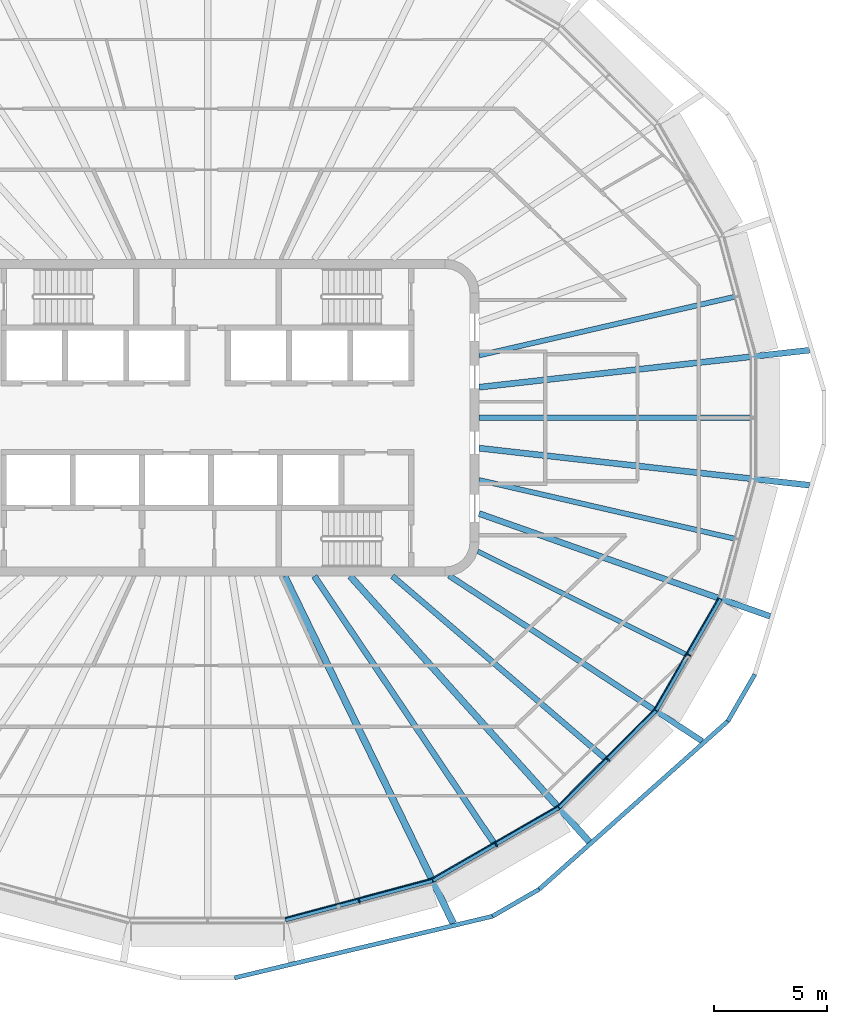
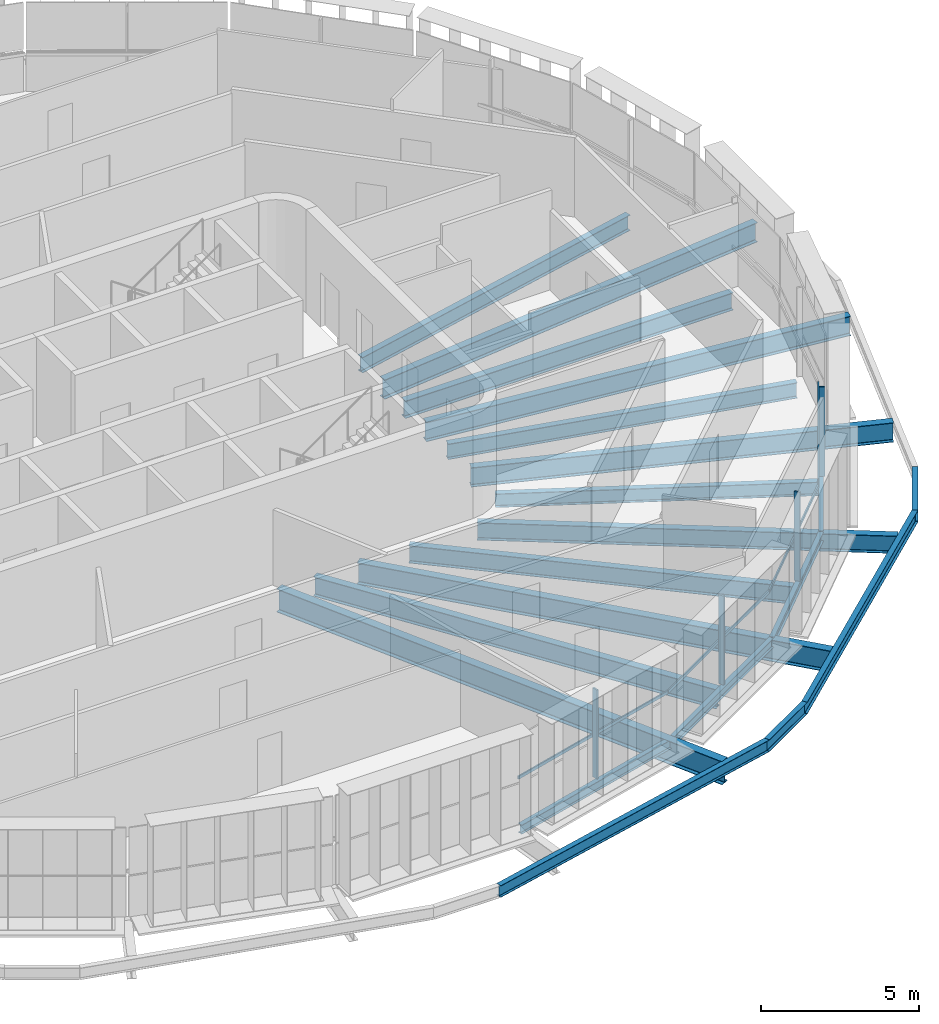
# One storey, part 3 of 18: 20 beams, 8 members, 4 elements without a shape of their own.
"""IFC4 building model written with IfcOpenShell, lengths in metres."""

from ifc_helpers import new_model, si_unit, direction, frame, origin, origin_2d, place, context, subcontext, project, spatial, rectangle, i_section, extrude, material, layer, layer_set, material_profile, profile_set, type_object, element, aggregate, save


model = new_model("IFC4")

# Units and contexts
model_context = context("Model", 3, precision=1e-05, world=origin(), true_north=direction((0.0, 1.0)))
body_context = subcontext(model_context, "Body", "Model", "MODEL_VIEW")
ifc_project = project(units=[si_unit("LENGTHUNIT", "METRE"), si_unit("AREAUNIT", "SQUARE_METRE"), si_unit("VOLUMEUNIT", "CUBIC_METRE"), si_unit("PLANEANGLEUNIT", "RADIAN"), si_unit("MASSUNIT", "GRAM", prefix="KILO")], contexts=[model_context])

# Site, building, storey
site_placement = place(None, origin())
site = spatial("IfcSite", under=ifc_project, at=site_placement, CompositionType="ELEMENT")
building_placement = place(site_placement, origin())
building = spatial("IfcBuilding", under=site, at=building_placement, Name="Sahrelin Media Tower", CompositionType="ELEMENT")
storey_placement = place(building_placement, frame((0.0, 0.0, 320.39990234375)))
storey = spatial("IfcBuildingStorey", under=building, at=storey_placement, Name="L71", CompositionType="ELEMENT", Elevation=320.39990234375)

# Beams
ifc_material_1 = material(Name="Steel S355", Category="steel")
ifc_material_profile_1 = material_profile(ifc_material_1, i_section(OverallWidth=0.1650390625, OverallDepth=0.303466796875, WebThickness=0.006103515625, FlangeThickness=0.01025390625, FilletRadius=0.0087890625, at=origin_2d()), Name="UB 305x165x40")
ifc_profile_set_1 = profile_set([ifc_material_profile_1], Name="Steel S355")
beam_type_1 = type_object("IfcBeamType", Name="Edge beam EB2", PredefinedType="BEAM", material=ifc_profile_set_1)
beam_1_placement = place(storey_placement, frame((22.66650390625, -8.00830078125, -0.301513671875), z_axis=(-0.50000363893, -0.866023302837, 0.0), x_axis=(0.866023302837, -0.50000363893, 0.0)))
element("IfcBeam", 1, at=beam_1_placement, inside=storey, type_object=beam_type_1, Name="Edge beam L71-03", PredefinedType="BEAM", context=body_context, shape_type="SweptSolid", body=[
    extrude(i_section(OverallWidth=0.1650390625, OverallDepth=0.303466796875, WebThickness=0.006103515625, FlangeThickness=0.01025390625, FilletRadius=0.0087890625, at=origin_2d()), origin(), (0.0, 0.0, 1.0), 5.68701171875),
])
ifc_material_profile_2 = material_profile(ifc_material_1, i_section(OverallWidth=0.17138671875, OverallDepth=0.35498046875, WebThickness=0.00732421875, FlangeThickness=0.011474609375, FilletRadius=0.01025390625, at=origin_2d()), Name="UB 356x171x51")
ifc_profile_set_2 = profile_set([ifc_material_profile_2], Name="Steel S355")
beam_type_2 = type_object("IfcBeamType", Name="Edge beam EB3", PredefinedType="BEAM", material=ifc_profile_set_2)
beam_2_placement = place(storey_placement, frame((19.805419921875, -12.956298828125, -0.327392578125), z_axis=(-0.707106781187, -0.707106781187, 0.0), x_axis=(0.707106781187, -0.707106781187, 0.0)))
element("IfcBeam", 2, at=beam_2_placement, inside=storey, type_object=beam_type_2, Name="Edge beam L71-04", PredefinedType="BEAM", context=body_context, shape_type="SweptSolid", body=[
    extrude(i_section(OverallWidth=0.17138671875, OverallDepth=0.35498046875, WebThickness=0.00732421875, FlangeThickness=0.011474609375, FilletRadius=0.01025390625, at=origin_2d()), origin(), (0.0, 0.0, 1.0), 6.033447265625),
])
beam_3_placement = place(storey_placement, frame((15.51611328125, -17.240234375, -0.327392578125), z_axis=(-0.866016350121, -0.500015681077, 0.0), x_axis=(0.500015681077, -0.866016350121, 0.0)))
element("IfcBeam", 3, at=beam_3_placement, inside=storey, type_object=beam_type_2, Name="Edge beam L71-05", PredefinedType="BEAM", context=body_context, shape_type="SweptSolid", body=[
    extrude(i_section(OverallWidth=0.17138671875, OverallDepth=0.35498046875, WebThickness=0.00732421875, FlangeThickness=0.011474609375, FilletRadius=0.01025390625, at=origin_2d()), origin(), (0.0, 0.0, 1.0), 6.414306640625),
])
beam_4_placement = place(storey_placement, frame((9.9345703125, -20.45849609375, -0.327392578125), z_axis=(-0.965930856343, -0.258800271955, 0.0), x_axis=(0.258800271955, -0.965930856343, 0.0)))
element("IfcBeam", 4, at=beam_4_placement, inside=storey, type_object=beam_type_2, Name="Edge beam L71-06", PredefinedType="BEAM", context=body_context, shape_type="SweptSolid", body=[
    extrude(i_section(OverallWidth=0.17138671875, OverallDepth=0.35498046875, WebThickness=0.00732421875, FlangeThickness=0.011474609375, FilletRadius=0.01025390625, at=origin_2d()), origin(), (0.0, 0.0, 1.0), 6.717529296875),
])

# Curtain wall, member
ifc_material_2 = material(Name="Champagne anodised aluminium 6063-T6", Category="aluminium")
ifc_layer = layer(ifc_material_2, 0.14990234375)
ifc_layer_set = layer_set([ifc_layer], Name="Tower ribbon curtain wall")
curtain_wall_type = type_object("IfcCurtainWallType", Name="Tower ribbon curtain wall", PredefinedType="NOTDEFINED", material=ifc_layer_set)
curtain_wall_1_placement = place(storey_placement, frame((6.72900390625, -21.47265625, 0.0), z_axis=(0.0, 0.0, 1.0), x_axis=(1.0, 0.0, 0.0)))
curtain_wall_1 = element("IfcCurtainWall", 5, at=curtain_wall_1_placement, inside=storey, type_object=curtain_wall_type, Name="L71:CW:L71-19", PredefinedType="NOTDEFINED")
ifc_material_profile_3 = material_profile(ifc_material_2, rectangle(XDim=0.06005859375, YDim=0.199951171875, at=origin_2d()), Name="Mullion 60x200")
ifc_profile_set_3 = profile_set([ifc_material_profile_3], Name="Champagne anodised aluminium 6063-T6")
member_type_1 = type_object("IfcMemberType", Name="Mullion 60x200 CW1C", PredefinedType="MULLION", material=ifc_profile_set_3)
member_1_placement = place(storey_placement, frame((6.69775390625, -21.356689453125, 0.0), z_axis=(0.0, 0.0, 1.0), x_axis=(0.965926278012, 0.258817359244, 0.0)))
member_1 = element("IfcMember", 6, at=member_1_placement, type_object=member_type_1, Name="L71:CWM:L71-19", PredefinedType="MULLION", context=body_context, shape_type="SweptSolid", body=[
    extrude(rectangle(XDim=0.06005859375, YDim=0.199951171875, at=origin_2d()), origin(), (0.0, 0.0, 1.0), 3.44873046875),
])

curtain_wall_2_placement = place(storey_placement, frame((12.813720703125, -18.9736328125, 0.0), z_axis=(0.0, 0.0, 1.0), x_axis=(1.0, 0.0, 0.0)))
curtain_wall_2 = element("IfcCurtainWall", 7, at=curtain_wall_2_placement, inside=storey, type_object=curtain_wall_type, Name="L71:CW:L71-20", PredefinedType="NOTDEFINED")
member_2_placement = place(storey_placement, frame((12.753662109375, -18.869873046875, 0.0), z_axis=(0.0, 0.0, 1.0), x_axis=(0.86602365845, 0.500003022996, 0.0)))
member_2 = element("IfcMember", 8, at=member_2_placement, type_object=member_type_1, Name="L71:CWM:L71-20", PredefinedType="MULLION", context=body_context, shape_type="SweptSolid", body=[
    extrude(rectangle(XDim=0.06005859375, YDim=0.199951171875, at=origin_2d()), origin(), (0.0, 0.0, 1.0), 3.44873046875),
])

curtain_wall_3_placement = place(storey_placement, frame((17.7783203125, -15.195556640625, 0.0), z_axis=(0.0, 0.0, 1.0), x_axis=(1.0, 0.0, 0.0)))
curtain_wall_3 = element("IfcCurtainWall", 9, at=curtain_wall_3_placement, inside=storey, type_object=curtain_wall_type, Name="L71:CW:L71-21", PredefinedType="NOTDEFINED")
member_3_placement = place(storey_placement, frame((17.693359375, -15.110595703125, 0.0), z_axis=(0.0, 0.0, 1.0), x_axis=(0.707106781187, 0.707106781187, 0.0)))
member_3 = element("IfcMember", 10, at=member_3_placement, type_object=member_type_1, Name="L71:CWM:L71-21", PredefinedType="MULLION", context=body_context, shape_type="SweptSolid", body=[
    extrude(rectangle(XDim=0.06005859375, YDim=0.199951171875, at=origin_2d()), origin(), (0.0, 0.0, 1.0), 3.44873046875),
])

curtain_wall_4_placement = place(storey_placement, frame((21.374755859375, -10.5458984375, 0.0), z_axis=(0.0, 0.0, 1.0), x_axis=(1.0, 0.0, 0.0)))
curtain_wall_4 = element("IfcCurtainWall", 11, at=curtain_wall_4_placement, inside=storey, type_object=curtain_wall_type, Name="L71:CW:L71-22", PredefinedType="NOTDEFINED")
member_4_placement = place(storey_placement, frame((21.270751953125, -10.48583984375, 0.0), z_axis=(0.0, 0.0, 1.0), x_axis=(0.500004534492, 0.866022785779, 0.0)))
member_4 = element("IfcMember", 12, at=member_4_placement, type_object=member_type_1, Name="L71:CWM:L71-22", PredefinedType="MULLION", context=body_context, shape_type="SweptSolid", body=[
    extrude(rectangle(XDim=0.06005859375, YDim=0.199951171875, at=origin_2d()), origin(), (0.0, 0.0, 1.0), 3.44873046875),
])

# Beams
ifc_material_profile_4 = material_profile(ifc_material_1, i_section(OverallWidth=0.291748046875, OverallDepth=0.8349609375, WebThickness=0.013916015625, FlangeThickness=0.018798828125, FilletRadius=0.017822265625, at=origin_2d()), Name="UB 838x292x176")
ifc_profile_set_4 = profile_set([ifc_material_profile_4], Name="Steel S355")
beam_type_3 = type_object("IfcBeamType", Name="Radial primary beam PB10", PredefinedType="BEAM", material=ifc_profile_set_4)
beam_5_placement = place(storey_placement, frame((6.30126953125, -7.0, -0.5673828125), z_axis=(0.669035624577, -0.743230336468, 0.0), x_axis=(0.743230336468, 0.669035624577, 0.0)))
element("IfcBeam", 13, at=beam_5_placement, inside=storey, type_object=beam_type_3, Name="Radial beam L71-21", PredefinedType="BEAM", context=body_context, shape_type="SweptSolid", body=[
    extrude(i_section(OverallWidth=0.291748046875, OverallDepth=0.8349609375, WebThickness=0.013916015625, FlangeThickness=0.018798828125, FilletRadius=0.017822265625, at=origin_2d()), origin(), (0.0, 0.0, 1.0), 15.791259765625),
])
ifc_material_profile_5 = material_profile(ifc_material_1, i_section(OverallWidth=0.30322265625, OverallDepth=0.903076171875, WebThickness=0.01513671875, FlangeThickness=0.020263671875, FilletRadius=0.01904296875, at=origin_2d()), Name="UB 914x305x201")
ifc_profile_set_5 = profile_set([ifc_material_profile_5], Name="Steel S355")
beam_type_4 = type_object("IfcBeamType", Name="Radial primary beam PB11", PredefinedType="BEAM", material=ifc_profile_set_5)
beam_6_placement = place(storey_placement, frame((3.401123046875, -7.0, -0.601318359375), z_axis=(0.437024704588, -0.899449502518, 0.0), x_axis=(0.899449502518, 0.437024704588, 0.0)))
element("IfcBeam", 14, at=beam_6_placement, inside=storey, type_object=beam_type_4, Name="Radial beam L71-20", PredefinedType="BEAM", context=body_context, shape_type="SweptSolid", body=[
    extrude(i_section(OverallWidth=0.30322265625, OverallDepth=0.903076171875, WebThickness=0.01513671875, FlangeThickness=0.020263671875, FilletRadius=0.01904296875, at=origin_2d()), origin(), (0.0, 0.0, 1.0), 17.06103515625),
])
ifc_material_profile_6 = material_profile(ifc_material_1, i_section(OverallWidth=0.2529296875, OverallDepth=0.677978515625, WebThickness=0.01171875, FlangeThickness=0.01611328125, FilletRadius=0.01513671875, at=origin_2d()), Name="UB 686x254x125")
ifc_profile_set_6 = profile_set([ifc_material_profile_6], Name="Steel S355")
beam_type_5 = type_object("IfcBeamType", Name="Radial primary beam PB8", PredefinedType="BEAM", material=ifc_profile_set_6)
beam_7_placement = place(storey_placement, frame((10.669189453125, -6.977783203125, -0.489013671875), z_axis=(0.836908141408, -0.547343368321, 0.0), x_axis=(0.547343368321, 0.836908141408, 0.0)))
element("IfcBeam", 15, at=beam_7_placement, inside=storey, type_object=beam_type_5, Name="Radial beam L71-22", PredefinedType="BEAM", context=body_context, shape_type="SweptSolid", body=[
    extrude(i_section(OverallWidth=0.2529296875, OverallDepth=0.677978515625, WebThickness=0.01171875, FlangeThickness=0.01611328125, FilletRadius=0.01513671875, at=origin_2d()), origin(), (0.0, 0.0, 1.0), 13.364501953125),
])
ifc_material_profile_7 = material_profile(ifc_material_1, i_section(OverallWidth=0.26513671875, OverallDepth=0.75390625, WebThickness=0.0126953125, FlangeThickness=0.017578125, FilletRadius=0.0166015625, at=origin_2d()), Name="UB 762x267x147")
ifc_profile_set_7 = profile_set([ifc_material_profile_7], Name="Steel S355")
beam_type_6 = type_object("IfcBeamType", Name="Radial primary beam PB9", PredefinedType="BEAM", material=ifc_profile_set_7)
beam_8_placement = place(storey_placement, frame((12.0, 1.34619140625, -0.52685546875), z_axis=(0.993764786308, 0.111496858677, 0.0), x_axis=(-0.111496858677, 0.993764786308, 0.0)))
element("IfcBeam", 16, at=beam_8_placement, inside=storey, type_object=beam_type_6, Name="Radial beam L71-01", PredefinedType="BEAM", context=body_context, shape_type="SweptSolid", body=[
    extrude(i_section(OverallWidth=0.26513671875, OverallDepth=0.75390625, WebThickness=0.0126953125, FlangeThickness=0.017578125, FilletRadius=0.0166015625, at=origin_2d()), origin(), (0.0, 0.0, 1.0), 14.688232421875),
])
beam_9_placement = place(storey_placement, frame((12.0, -4.236083984375, -0.52685546875), z_axis=(0.942964873881, -0.332892244769, 0.0), x_axis=(0.332892244769, 0.942964873881, 0.0)))
element("IfcBeam", 17, at=beam_9_placement, inside=storey, type_object=beam_type_6, Name="Radial beam L71-23", PredefinedType="BEAM", context=body_context, shape_type="SweptSolid", body=[
    extrude(i_section(OverallWidth=0.26513671875, OverallDepth=0.75390625, WebThickness=0.0126953125, FlangeThickness=0.017578125, FilletRadius=0.0166015625, at=origin_2d()), origin(), (0.0, 0.0, 1.0), 13.633056640625),
])
beam_10_placement = place(storey_placement, frame((12.0, -1.34619140625, -0.52685546875), z_axis=(0.993764786308, -0.111496858677, 0.0), x_axis=(0.111496858677, 0.993764786308, 0.0)))
element("IfcBeam", 18, at=beam_10_placement, inside=storey, type_object=beam_type_6, Name="Radial beam L71-24", PredefinedType="BEAM", context=body_context, shape_type="SweptSolid", body=[
    extrude(i_section(OverallWidth=0.26513671875, OverallDepth=0.75390625, WebThickness=0.0126953125, FlangeThickness=0.017578125, FilletRadius=0.0166015625, at=origin_2d()), origin(), (0.0, 0.0, 1.0), 14.688232421875),
])
ifc_material_profile_8 = material_profile(ifc_material_1, i_section(OverallWidth=0.208740234375, OverallDepth=0.5283203125, WebThickness=0.009521484375, FlangeThickness=0.01318359375, FilletRadius=0.0126953125, at=origin_2d()), Name="UB 533x210x82")
ifc_profile_set_8 = profile_set([ifc_material_profile_8], Name="Steel S355")
beam_type_7 = type_object("IfcBeamType", Name="Radial secondary beam SB6", PredefinedType="BEAM", material=ifc_profile_set_8)
beam_11_placement = place(storey_placement, frame((11.941650390625, -5.90576171875, -0.4140625), z_axis=(0.896375943047, -0.443294674824, 0.0), x_axis=(0.443294674824, 0.896375943047, 0.0)))
element("IfcBeam", 19, at=beam_11_placement, inside=storey, type_object=beam_type_7, Name="Secondary beam L71-22", PredefinedType="BEAM", context=body_context, shape_type="SweptSolid", body=[
    extrude(i_section(OverallWidth=0.208740234375, OverallDepth=0.5283203125, WebThickness=0.009521484375, FlangeThickness=0.01318359375, FilletRadius=0.0126953125, at=origin_2d()), origin(), (0.0, 0.0, 1.0), 10.27783203125),
])
ifc_material_profile_9 = material_profile(ifc_material_1, i_section(OverallWidth=0.2275390625, OverallDepth=0.6025390625, WebThickness=0.010498046875, FlangeThickness=0.014892578125, FilletRadius=0.0126953125, at=origin_2d()), Name="UB 610x229x101")
ifc_profile_set_9 = profile_set([ifc_material_profile_9], Name="Steel S355")
beam_type_8 = type_object("IfcBeamType", Name="Radial secondary beam SB7", PredefinedType="BEAM", material=ifc_profile_set_9)
for number, where, z_axis, x_axis, name in (
    (20, (12.0, 2.75341796875, -0.451171875), (0.974674391125, 0.223628780089, 0.0), (-0.223628780089, 0.974674391125, 0.0), "Secondary beam L71-01"),
    (21, (12.0, -2.75341796875, -0.451171875), (0.974674391125, -0.223628780089, 0.0), (0.223628780089, 0.974674391125, 0.0), "Secondary beam L71-23"),
):
    element("IfcBeam", number, at=place(storey_placement, frame(where, z_axis=z_axis, x_axis=x_axis)), inside=storey, type_object=beam_type_8, Name=name, PredefinedType="BEAM", context=body_context, shape_type="SweptSolid", body=[
        extrude(i_section(OverallWidth=0.2275390625, OverallDepth=0.6025390625, WebThickness=0.010498046875, FlangeThickness=0.014892578125, FilletRadius=0.0126953125, at=origin_2d()), origin(), (0.0, 0.0, 1.0), 11.591796875),
    ])
ifc_material_profile_10 = material_profile(ifc_material_1, i_section(OverallWidth=0.2529296875, OverallDepth=0.677978515625, WebThickness=0.01171875, FlangeThickness=0.01611328125, FilletRadius=0.01513671875, at=origin_2d()), Name="UB 686x254x125")
ifc_profile_set_10 = profile_set([ifc_material_profile_10], Name="Steel S355")
beam_type_9 = type_object("IfcBeamType", Name="Radial secondary beam SB8", PredefinedType="BEAM", material=ifc_profile_set_10)
beam_12_placement = place(storey_placement, frame((8.168212890625, -7.0, -0.489013671875), z_axis=(0.75931918364, -0.650718354863, 0.0), x_axis=(0.650718354863, 0.75931918364, 0.0)))
element("IfcBeam", 22, at=beam_12_placement, inside=storey, type_object=beam_type_9, Name="Secondary beam L71-21", PredefinedType="BEAM", context=body_context, shape_type="SweptSolid", body=[
    extrude(i_section(OverallWidth=0.2529296875, OverallDepth=0.677978515625, WebThickness=0.01171875, FlangeThickness=0.01611328125, FilletRadius=0.01513671875, at=origin_2d()), origin(), (0.0, 0.0, 1.0), 12.391357421875),
])
beam_13_placement = place(storey_placement, frame((12.0, 0.0, -0.489013671875), z_axis=(1.0, 0.0, 0.0), x_axis=(0.0, 1.0, 0.0)))
element("IfcBeam", 23, at=beam_13_placement, inside=storey, type_object=beam_type_9, Name="Secondary beam L71-24", PredefinedType="BEAM", context=body_context, shape_type="SweptSolid", body=[
    extrude(i_section(OverallWidth=0.2529296875, OverallDepth=0.677978515625, WebThickness=0.01171875, FlangeThickness=0.01611328125, FilletRadius=0.01513671875, at=origin_2d()), origin(), (0.0, 0.0, 1.0), 12.01025390625),
])
ifc_material_profile_11 = material_profile(ifc_material_1, i_section(OverallWidth=0.26513671875, OverallDepth=0.75390625, WebThickness=0.0126953125, FlangeThickness=0.017578125, FilletRadius=0.0166015625, at=origin_2d()), Name="UB 762x267x147")
ifc_profile_set_11 = profile_set([ifc_material_profile_11], Name="Steel S355")
beam_type_10 = type_object("IfcBeamType", Name="Radial secondary beam SB9", PredefinedType="BEAM", material=ifc_profile_set_11)
beam_14_placement = place(storey_placement, frame((4.71337890625, -7.0, -0.52685546875), z_axis=(0.558514308312, -0.82949488691, 0.0), x_axis=(0.82949488691, 0.558514308312, 0.0)))
element("IfcBeam", 24, at=beam_14_placement, inside=storey, type_object=beam_type_10, Name="Secondary beam L71-20", PredefinedType="BEAM", context=body_context, shape_type="SweptSolid", body=[
    extrude(i_section(OverallWidth=0.26513671875, OverallDepth=0.75390625, WebThickness=0.0126953125, FlangeThickness=0.017578125, FilletRadius=0.0166015625, at=origin_2d()), origin(), (0.0, 0.0, 1.0), 14.218017578125),
])
ifc_material_profile_12 = material_profile(ifc_material_1, i_section(OverallWidth=0.1904296875, OverallDepth=0.45703125, WebThickness=0.009033203125, FlangeThickness=0.014404296875, FilletRadius=0.01025390625, at=origin_2d()), Name="UB 457x191x74")
ifc_profile_set_12 = profile_set([ifc_material_profile_12], Name="Steel S355")
beam_type_11 = type_object("IfcBeamType", Name="Tie chord TC5", PredefinedType="BEAM", material=ifc_profile_set_12)
beam_15_placement = place(storey_placement, frame((1.19189453125, -24.750732421875, -0.37841796875), z_axis=(0.972667165889, 0.232203756218, 0.0), x_axis=(-0.232203756218, 0.972667165889, 0.0)))
element("IfcBeam", 25, at=beam_15_placement, inside=storey, type_object=beam_type_11, Name="Tie chord L71-19", PredefinedType="BEAM", context=body_context, shape_type="SweptSolid", body=[
    extrude(i_section(OverallWidth=0.1904296875, OverallDepth=0.45703125, WebThickness=0.009033203125, FlangeThickness=0.014404296875, FilletRadius=0.01025390625, at=origin_2d()), origin(), (0.0, 0.0, 1.0), 11.713623046875),
])
beam_16_placement = place(storey_placement, frame((12.58544921875, -22.03076171875, -0.37841796875), z_axis=(0.866028679985, 0.499994325412, 0.0), x_axis=(-0.499994325412, 0.866028679985, 0.0)))
element("IfcBeam", 26, at=beam_16_placement, inside=storey, type_object=beam_type_11, Name="Tie chord L71-20", PredefinedType="BEAM", context=body_context, shape_type="SweptSolid", body=[
    extrude(i_section(OverallWidth=0.1904296875, OverallDepth=0.45703125, WebThickness=0.009033203125, FlangeThickness=0.014404296875, FilletRadius=0.01025390625, at=origin_2d()), origin(), (0.0, 0.0, 1.0), 2.3837890625),
])
beam_17_placement = place(storey_placement, frame((14.64990234375, -20.8388671875, -0.37841796875), z_axis=(0.746639514232, 0.665228859707, 0.0), x_axis=(-0.665228859707, 0.746639514232, 0.0)))
element("IfcBeam", 27, at=beam_17_placement, inside=storey, type_object=beam_type_11, Name="Tie chord L71-21", PredefinedType="BEAM", context=body_context, shape_type="SweptSolid", body=[
    extrude(i_section(OverallWidth=0.1904296875, OverallDepth=0.45703125, WebThickness=0.009033203125, FlangeThickness=0.014404296875, FilletRadius=0.01025390625, at=origin_2d()), origin(), (0.0, 0.0, 1.0), 11.1708984375),
])
beam_18_placement = place(storey_placement, frame((22.990478515625, -13.40771484375, -0.37841796875), z_axis=(0.499994325412, 0.866028679985, 0.0), x_axis=(-0.866028679985, 0.499994325412, 0.0)))
element("IfcBeam", 28, at=beam_18_placement, inside=storey, type_object=beam_type_11, Name="Tie chord L71-22", PredefinedType="BEAM", context=body_context, shape_type="SweptSolid", body=[
    extrude(i_section(OverallWidth=0.1904296875, OverallDepth=0.45703125, WebThickness=0.009033203125, FlangeThickness=0.014404296875, FilletRadius=0.01025390625, at=origin_2d()), origin(), (0.0, 0.0, 1.0), 2.3837890625),
])

# Member
ifc_material_profile_13 = material_profile(ifc_material_2, rectangle(XDim=0.050048828125, YDim=0.1201171875, at=origin_2d()), Name="Transom 50x120")
ifc_profile_set_13 = profile_set([ifc_material_profile_13], Name="Champagne anodised aluminium 6063-T6")
member_type_2 = type_object("IfcMemberType", Name="Transom 50x120 CW1C", PredefinedType="USERDEFINED", material=ifc_profile_set_13)
member_5_placement = place(storey_placement, frame((3.436279296875, -22.101318359375, 1.60009765625), z_axis=(0.965928819755, 0.258807873079, 0.0), x_axis=(-0.258807873079, 0.965928819755, 0.0)))
member_5 = element("IfcMember", 29, at=member_5_placement, type_object=member_type_2, Name="L71:CWT:L71-19", ObjectType="TRANSOM", PredefinedType="USERDEFINED", context=body_context, shape_type="SweptSolid", body=[
    extrude(rectangle(XDim=0.050048828125, YDim=0.1201171875, at=origin_2d()), origin(), (0.0, 0.0, 1.0), 6.686279296875),
])

aggregate(curtain_wall_1, [member_1, member_5])

member_6_placement = place(storey_placement, frame((9.92724609375, -20.357421875, 1.60009765625), z_axis=(0.866014883366, 0.500018221457, 0.0), x_axis=(-0.500018221457, 0.866014883366, 0.0)))
member_6 = element("IfcMember", 30, at=member_6_placement, type_object=member_type_2, Name="L71:CWT:L71-20", ObjectType="TRANSOM", PredefinedType="USERDEFINED", context=body_context, shape_type="SweptSolid", body=[
    extrude(rectangle(XDim=0.050048828125, YDim=0.1201171875, at=origin_2d()), origin(), (0.0, 0.0, 1.0), 6.383056640625),
])

aggregate(curtain_wall_2, [member_2, member_6])

member_7_placement = place(storey_placement, frame((15.48291015625, -17.144287109375, 1.60009765625), z_axis=(0.707106781187, 0.707106781187, 0.0), x_axis=(-0.707106781187, 0.707106781187, 0.0)))
member_7 = element("IfcMember", 31, at=member_7_placement, type_object=member_type_2, Name="L71:CWT:L71-21", ObjectType="TRANSOM", PredefinedType="USERDEFINED", context=body_context, shape_type="SweptSolid", body=[
    extrude(rectangle(XDim=0.050048828125, YDim=0.1201171875, at=origin_2d()), origin(), (0.0, 0.0, 1.0), 6.002197265625),
])

aggregate(curtain_wall_3, [member_3, member_7])

member_8_placement = place(storey_placement, frame((19.74853515625, -12.872314453125, 1.60009765625), z_axis=(0.500006439447, 0.866021685936, 0.0), x_axis=(-0.866021685936, 0.500006439447, 0.0)))
member_8 = element("IfcMember", 32, at=member_8_placement, type_object=member_type_2, Name="L71:CWT:L71-22", ObjectType="TRANSOM", PredefinedType="USERDEFINED", context=body_context, shape_type="SweptSolid", body=[
    extrude(rectangle(XDim=0.050048828125, YDim=0.1201171875, at=origin_2d()), origin(), (0.0, 0.0, 1.0), 5.65576171875),
])

aggregate(curtain_wall_4, [member_4, member_8])

save(model, "model.ifc")
